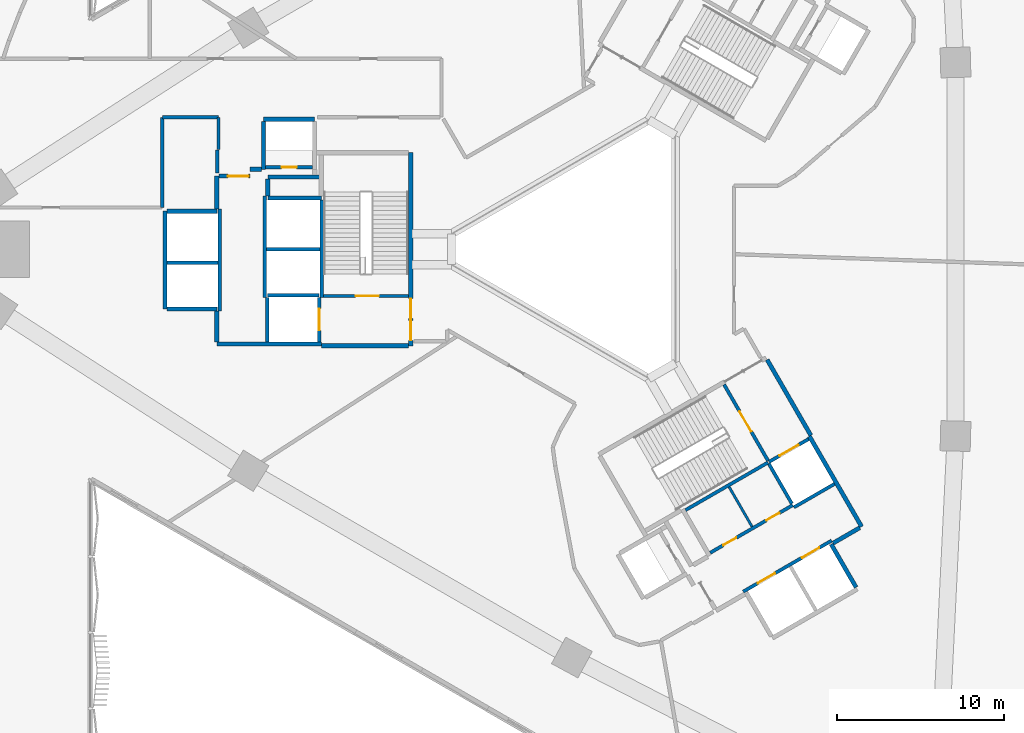
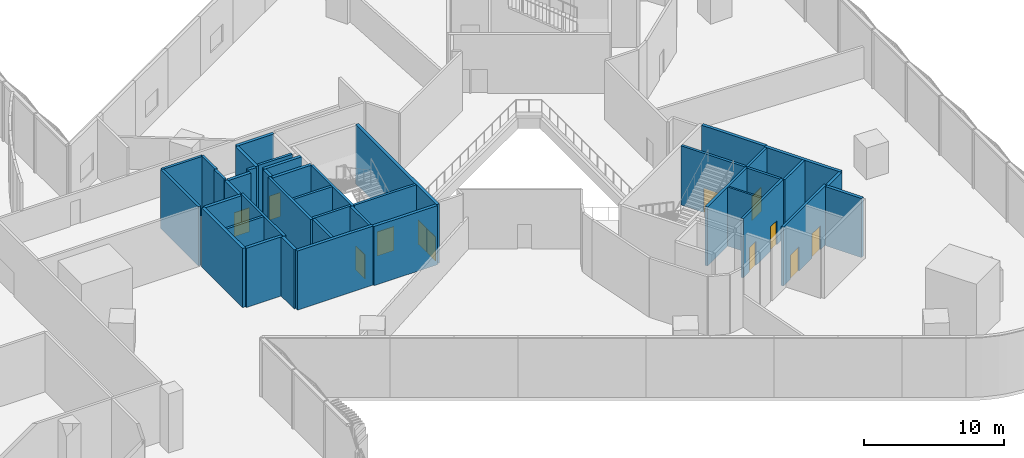
# One storey, part 15 of 31: 41 walls, 12 doors, 12 openings.
"""IFC4 building model written with IfcOpenShell, lengths in metres."""

from ifc_helpers import new_model, si_unit, direction, frame, frame_2d, origin, place, context, subcontext, project, spatial, rectangle, extrude, material, layer, layer_set, type_object, element, fill, save


model = new_model("IFC4")

# Units and contexts
model_context = context("Model", 3, precision=1e-05, world=origin(), true_north=direction((0.0, 1.0)))
body_context = subcontext(model_context, "Body", "Model", "MODEL_VIEW")
ifc_project = project(units=[si_unit("LENGTHUNIT", "METRE"), si_unit("AREAUNIT", "SQUARE_METRE"), si_unit("VOLUMEUNIT", "CUBIC_METRE"), si_unit("PLANEANGLEUNIT", "RADIAN"), si_unit("MASSUNIT", "GRAM", prefix="KILO")], contexts=[model_context])

# Site, building, storey
site_placement = place(None, origin())
site = spatial("IfcSite", under=ifc_project, at=site_placement, CompositionType="ELEMENT")
building_placement = place(site_placement, origin())
building = spatial("IfcBuilding", under=site, at=building_placement, Name="Tamra Quay Hotel Tower", CompositionType="ELEMENT")
storey_placement = place(building_placement, frame((0.0, 0.0, 14.0)))
storey = spatial("IfcBuildingStorey", under=building, at=storey_placement, Name="L02", CompositionType="ELEMENT", Elevation=14.0)

# Walls
ifc_material_1 = material(Name="Concrete M70", Category="concrete")
ifc_layer_1 = layer(ifc_material_1, 0.199951171875)
ifc_layer_set_1 = layer_set([ifc_layer_1], Name="Concrete M70 core wall 200")
wall_type_1 = type_object("IfcWallType", Name="Concrete M70 core wall 200", PredefinedType="SHEAR", material=ifc_layer_set_1)
wall_1_placement = place(storey_placement, frame((-16.162109375, 2.95068359375, 0.0), z_axis=(0.0, 0.0, 1.0), x_axis=(0.0, -1.0, 0.0)))
element("IfcWall", 1, at=wall_1_placement, inside=storey, type_object=wall_type_1, Name="CW2", PredefinedType="SHEAR", context=body_context, shape_type="SweptSolid", body=[
    extrude(rectangle(XDim=5.850830078125, YDim=0.199951171875, at=frame_2d((2.92529296875, 0.0))), origin(), (0.0, 0.0, 1.0), 5.14990234375),
])
for number, where, z_axis, x_axis, name in (
    (2, (-19.5625, -2.900146484375, 0.0), (0.0, 0.0, 1.0), (0.0, 1.0, 0.0), "CW2"),
    (3, (-22.26220703125, 2.400146484375, 0.0), (0.0, 0.0, 1.0), (0.0, -1.0, 0.0), "CW2"),
):
    element("IfcWall", number, at=place(storey_placement, frame(where, z_axis=z_axis, x_axis=x_axis)), inside=storey, type_object=wall_type_1, Name=name, PredefinedType="SHEAR", context=body_context, shape_type="SweptSolid", body=[
        extrude(rectangle(XDim=6.100341796875, YDim=0.199951171875, at=frame_2d((3.05029296875, 0.0))), origin(), (0.0, 0.0, 1.0), 5.14990234375),
    ])

# Wall, opening, door
wall_2_placement = place(storey_placement, frame((-10.96337890625, -2.800048828125, 0.0), z_axis=(0.0, 0.0, 1.0), x_axis=(-1.0, 0.0, 0.0)))
wall_2 = element("IfcWall", 4, at=wall_2_placement, inside=storey, type_object=wall_type_1, Name="CW2", PredefinedType="SHEAR", context=body_context, shape_type="SweptSolid", body=[
    extrude(rectangle(XDim=5.097900390625, YDim=0.199951171875, at=frame_2d((2.548828125, 0.0))), origin(), (0.0, 0.0, 1.0), 5.14990234375),
])
opening_1_placement = place(wall_2_placement, frame((1.77392578125, 0.0, 0.0)))
opening_1 = element("IfcOpeningElement", 5, at=opening_1_placement, cuts=wall_2, Name="Opening FD2", PredefinedType="OPENING", context=body_context, shape_type="SweptSolid", body=[
    extrude(rectangle(XDim=1.39990234375, YDim=2.10009765625, at=frame_2d((0.699951171875, 1.050048828125))), frame((0.0, 0.10986328125, 0.0), z_axis=(0.0, -1.0, 0.0), x_axis=(1.0, 0.0, 0.0)), (0.0, 0.0, 1.0), 0.219970703125),
])
ifc_material_2 = material(Name="Core door FD2 1400x2100 LH")
door_type_1 = type_object("IfcDoorType", Name="Core door FD2 1400x2100 LH", OperationType="NOTDEFINED", PredefinedType="DOOR", material=ifc_material_2)
door_1_placement = place(opening_1_placement, origin())
door_1 = element("IfcDoor", 6, at=door_1_placement, inside=storey, type_object=door_type_1, Name="FD2", OperationType="SINGLE_SWING_LEFT", OverallHeight=2.10009765625, OverallWidth=1.39990234375, PredefinedType="DOOR", context=body_context, shape_type="SweptSolid", body=[
    extrude(rectangle(XDim=1.39990234375, YDim=2.10009765625, at=frame_2d((0.699951171875, 1.050048828125))), frame((0.0, 0.02490234375, 0.0), z_axis=(0.0, -1.0, 0.0), x_axis=(1.0, 0.0, 0.0)), (0.0, 0.0, 1.0), 0.050048828125),
])
fill(opening_1, door_1)

# Walls
wall_3_placement = place(storey_placement, frame((-16.26318359375, 0.0, 0.0), z_axis=(0.0, 0.0, 1.0), x_axis=(-1.0, 0.0, 0.0)))
element("IfcWall", 7, at=wall_3_placement, inside=storey, type_object=wall_type_1, Name="CW2", PredefinedType="SHEAR", context=body_context, shape_type="SweptSolid", body=[
    extrude(rectangle(XDim=3.1982421875, YDim=0.199951171875, at=frame_2d((1.59912109375, 0.0))), origin(), (0.0, 0.0, 1.0), 5.14990234375),
])
wall_4_placement = place(storey_placement, frame((-22.36328125, -0.800048828125, 0.0), z_axis=(0.0, 0.0, 1.0), x_axis=(-1.0, 0.0, 0.0)))
element("IfcWall", 8, at=wall_4_placement, inside=storey, type_object=wall_type_1, Name="CW2", PredefinedType="SHEAR", context=body_context, shape_type="SweptSolid", body=[
    extrude(rectangle(XDim=3.048095703125, YDim=0.199951171875, at=frame_2d((1.52392578125, 0.0))), origin(), (0.0, 0.0, 1.0), 5.14990234375),
])

# Wall, opening, door
wall_5_placement = place(storey_placement, frame((-19.51123046875, 4.91015625, 0.0), z_axis=(0.0, 0.0, 1.0), x_axis=(1.0, 0.0, 0.0)))
wall_5 = element("IfcWall", 9, at=wall_5_placement, inside=storey, type_object=wall_type_1, Name="CW2", PredefinedType="SHEAR", context=body_context, shape_type="SweptSolid", body=[
    extrude(rectangle(XDim=2.7978515625, YDim=0.199951171875, at=frame_2d((1.39892578125, 0.0))), origin(), (0.0, 0.0, 1.0), 5.14990234375),
])
opening_2_placement = place(wall_5_placement, frame((0.948974609375, 0.0, 0.0)))
opening_2 = element("IfcOpeningElement", 10, at=opening_2_placement, cuts=wall_5, Name="Opening D1", PredefinedType="OPENING", context=body_context, shape_type="SweptSolid", body=[
    extrude(rectangle(XDim=0.89990234375, YDim=2.10009765625, at=frame_2d((0.449951171875, 1.050048828125))), frame((0.0, 0.10986328125, 0.0), z_axis=(0.0, -1.0, 0.0), x_axis=(1.0, 0.0, 0.0)), (0.0, 0.0, 1.0), 0.219970703125),
])
ifc_material_3 = material(Name="Core door D1 900x2100 RH")
door_type_2 = type_object("IfcDoorType", Name="Core door D1 900x2100 RH", OperationType="NOTDEFINED", PredefinedType="DOOR", material=ifc_material_3)
door_2_placement = place(opening_2_placement, origin())
door_2 = element("IfcDoor", 11, at=door_2_placement, inside=storey, type_object=door_type_2, Name="D1", OperationType="SINGLE_SWING_RIGHT", OverallHeight=2.10009765625, OverallWidth=0.89990234375, PredefinedType="DOOR", context=body_context, shape_type="SweptSolid", body=[
    extrude(rectangle(XDim=0.89990234375, YDim=2.10009765625, at=frame_2d((0.449951171875, 1.050048828125))), frame((0.0, 0.02490234375, 0.0), z_axis=(0.0, -1.0, 0.0), x_axis=(1.0, 0.0, 0.0)), (0.0, 0.0, 1.0), 0.050048828125),
])
fill(opening_2, door_2)

# Wall
wall_6_placement = place(storey_placement, frame((-19.412353515625, -2.75, 0.0), z_axis=(0.0, 0.0, 1.0), x_axis=(1.0, 0.0, 0.0)))
element("IfcWall", 12, at=wall_6_placement, inside=storey, type_object=wall_type_1, Name="CW2", PredefinedType="SHEAR", context=body_context, shape_type="SweptSolid", body=[
    extrude(rectangle(XDim=3.10009765625, YDim=0.199951171875, at=frame_2d((1.550048828125, 0.0))), origin(), (0.0, 0.0, 1.0), 5.14990234375),
])

# Wall, opening, door
wall_7_placement = place(storey_placement, frame((-16.312255859375, -2.898193359375, 0.0), z_axis=(0.0, 0.0, 1.0), x_axis=(0.0, -1.0, 0.0)))
wall_7 = element("IfcWall", 13, at=wall_7_placement, inside=storey, type_object=wall_type_1, Name="CW2", PredefinedType="SHEAR", context=body_context, shape_type="SweptSolid", body=[
    extrude(rectangle(XDim=2.65087890625, YDim=0.199951171875, at=frame_2d((1.325439453125, 0.0))), origin(), (0.0, 0.0, 1.0), 5.14990234375),
])
opening_3_placement = place(wall_7_placement, frame((0.65185546875, 0.0, 0.0)))
opening_3 = element("IfcOpeningElement", 14, at=opening_3_placement, cuts=wall_7, Name="Opening LD", PredefinedType="OPENING", context=body_context, shape_type="SweptSolid", body=[
    extrude(rectangle(XDim=1.300048828125, YDim=2.10009765625, at=frame_2d((0.64990234375, 1.050048828125))), frame((0.0, 0.10986328125, 0.0), z_axis=(0.0, -1.0, 0.0), x_axis=(1.0, 0.0, 0.0)), (0.0, 0.0, 1.0), 0.219970703125),
])
ifc_material_4 = material(Name="Landing door LD 1300 sliding to left")
door_type_3 = type_object("IfcDoorType", Name="Landing door LD 1300 sliding to left", OperationType="NOTDEFINED", PredefinedType="DOOR", material=ifc_material_4)
door_3_placement = place(opening_3_placement, origin())
door_3 = element("IfcDoor", 15, at=door_3_placement, inside=storey, type_object=door_type_3, Name="LD", OperationType="SLIDING_TO_LEFT", OverallHeight=2.10009765625, OverallWidth=1.300048828125, PredefinedType="DOOR", context=body_context, shape_type="SweptSolid", body=[
    extrude(rectangle(XDim=1.300048828125, YDim=2.10009765625, at=frame_2d((0.64990234375, 1.050048828125))), frame((0.0, 0.02490234375, 0.0), z_axis=(0.0, -1.0, 0.0), x_axis=(1.0, 0.0, 0.0)), (0.0, 0.0, 1.0), 0.050048828125),
])
fill(opening_3, door_3)

# Wall
wall_8_placement = place(storey_placement, frame((-19.412353515625, -5.549072265625, 0.0), z_axis=(0.0, 0.0, 1.0), x_axis=(0.0, 1.0, 0.0)))
element("IfcWall", 16, at=wall_8_placement, inside=storey, type_object=wall_type_1, Name="CW2", PredefinedType="SHEAR", context=body_context, shape_type="SweptSolid", body=[
    extrude(rectangle(XDim=2.65087890625, YDim=0.199951171875, at=frame_2d((1.325439453125, 0.0))), origin(), (0.0, 0.0, 1.0), 5.14990234375),
])

# Wall, openings, doors
wall_9_placement = place(storey_placement, frame((9.052490234375, -20.479736328125, 0.0), z_axis=(0.0, 0.0, 1.0), x_axis=(0.866030299012, 0.499991521122, 0.0)))
wall_9 = element("IfcWall", 17, at=wall_9_placement, inside=storey, type_object=wall_type_1, Name="CW2", PredefinedType="SHEAR", context=body_context, shape_type="SweptSolid", body=[
    extrude(rectangle(XDim=6.10009765625, YDim=0.199951171875, at=frame_2d((3.050048828125, 0.0))), origin(), (0.0, 0.0, 1.0), 5.14990234375),
])
opening_4_placement = place(wall_9_placement, frame((1.0, 0.0, 0.0)))
opening_4 = element("IfcOpeningElement", 18, at=opening_4_placement, cuts=wall_9, Name="Opening LD", PredefinedType="OPENING", context=body_context, shape_type="SweptSolid", body=[
    extrude(rectangle(XDim=1.199951171875, YDim=2.10009765625, at=frame_2d((0.60009765625, 1.050048828125))), frame((0.0, 0.10986328125, 0.0), z_axis=(0.0, -1.0, 0.0), x_axis=(1.0, 0.0, 0.0)), (0.0, 0.0, 1.0), 0.219970703125),
])
opening_5_placement = place(wall_9_placement, frame((4.05029296875, 0.0, 0.0)))
opening_5 = element("IfcOpeningElement", 19, at=opening_5_placement, cuts=wall_9, Name="Opening LD", PredefinedType="OPENING", context=body_context, shape_type="SweptSolid", body=[
    extrude(rectangle(XDim=1.199951171875, YDim=2.10009765625, at=frame_2d((0.60009765625, 1.050048828125))), frame((0.0, 0.10986328125, 0.0), z_axis=(0.0, -1.0, 0.0), x_axis=(1.0, 0.0, 0.0)), (0.0, 0.0, 1.0), 0.219970703125),
])
ifc_material_5 = material(Name="Landing door LD 1200 double door sliding")
door_type_4 = type_object("IfcDoorType", Name="Landing door LD 1200 double door sliding", OperationType="DOUBLE_DOOR_SLIDING", PredefinedType="DOOR", material=ifc_material_5)
door_4_placement = place(opening_4_placement, origin())
door_4 = element("IfcDoor", 20, at=door_4_placement, inside=storey, type_object=door_type_4, Name="LD", OperationType="DOUBLE_DOOR_SLIDING", OverallHeight=2.10009765625, OverallWidth=1.199951171875, PredefinedType="DOOR", context=body_context, shape_type="SweptSolid", body=[
    extrude(rectangle(XDim=1.199951171875, YDim=2.10009765625, at=frame_2d((0.60009765625, 1.050048828125))), frame((0.0, 0.02490234375, 0.0), z_axis=(0.0, -1.0, 0.0), x_axis=(1.0, 0.0, 0.0)), (0.0, 0.0, 1.0), 0.050048828125),
])
fill(opening_4, door_4)
door_5_placement = place(opening_5_placement, origin())
door_5 = element("IfcDoor", 21, at=door_5_placement, inside=storey, type_object=door_type_4, Name="LD", OperationType="DOUBLE_DOOR_SLIDING", OverallHeight=2.10009765625, OverallWidth=1.199951171875, PredefinedType="DOOR", context=body_context, shape_type="SweptSolid", body=[
    extrude(rectangle(XDim=1.199951171875, YDim=2.10009765625, at=frame_2d((0.60009765625, 1.050048828125))), frame((0.0, 0.02490234375, 0.0), z_axis=(0.0, -1.0, 0.0), x_axis=(1.0, 0.0, 0.0)), (0.0, 0.0, 1.0), 0.050048828125),
])
fill(opening_5, door_5)

# Wall
wall_10_placement = place(storey_placement, frame((10.537841796875, -12.751953125, 0.0), z_axis=(0.0, 0.0, 1.0), x_axis=(-0.866038630372, -0.499977090179, 0.0)))
element("IfcWall", 22, at=wall_10_placement, inside=storey, type_object=wall_type_1, Name="CW2", PredefinedType="SHEAR", context=body_context, shape_type="SweptSolid", body=[
    extrude(rectangle(XDim=5.698974609375, YDim=0.199951171875, at=frame_2d((2.849609375, 0.0))), origin(), (0.0, 0.0, 1.0), 5.14990234375),
])

# Wall, openings, doors
wall_11_placement = place(storey_placement, frame((7.0771484375, -18.156005859375, 0.0), z_axis=(0.0, 0.0, 1.0), x_axis=(0.866038630372, 0.499977090179, 0.0)))
wall_11 = element("IfcWall", 23, at=wall_11_placement, inside=storey, type_object=wall_type_1, Name="CW2", PredefinedType="SHEAR", context=body_context, shape_type="SweptSolid", body=[
    extrude(rectangle(XDim=5.698974609375, YDim=0.199951171875, at=frame_2d((2.849609375, 0.0))), origin(), (0.0, 0.0, 1.0), 5.14990234375),
])
opening_6_placement = place(wall_11_placement, frame((0.89892578125, 0.0, 0.0)))
opening_6 = element("IfcOpeningElement", 24, at=opening_6_placement, cuts=wall_11, Name="Opening D2", PredefinedType="OPENING", context=body_context, shape_type="SweptSolid", body=[
    extrude(rectangle(XDim=0.89990234375, YDim=2.10009765625, at=frame_2d((0.449951171875, 1.050048828125))), frame((0.0, 0.10986328125, 0.0), z_axis=(0.0, -1.0, 0.0), x_axis=(1.0, 0.0, 0.0)), (0.0, 0.0, 1.0), 0.219970703125),
])
opening_7_placement = place(wall_11_placement, frame((3.8740234375, 0.0, 0.0)))
opening_7 = element("IfcOpeningElement", 25, at=opening_7_placement, cuts=wall_11, Name="Opening D2", PredefinedType="OPENING", context=body_context, shape_type="SweptSolid", body=[
    extrude(rectangle(XDim=0.89990234375, YDim=2.10009765625, at=frame_2d((0.449951171875, 1.050048828125))), frame((0.0, 0.10986328125, 0.0), z_axis=(0.0, -1.0, 0.0), x_axis=(1.0, 0.0, 0.0)), (0.0, 0.0, 1.0), 0.219970703125),
])
ifc_material_6 = material(Name="Core door D2 900x2100 LH")
door_type_5 = type_object("IfcDoorType", Name="Core door D2 900x2100 LH", OperationType="NOTDEFINED", PredefinedType="DOOR", material=ifc_material_6)
door_6_placement = place(opening_6_placement, origin())
door_6 = element("IfcDoor", 26, at=door_6_placement, inside=storey, type_object=door_type_5, Name="D2", OperationType="SINGLE_SWING_LEFT", OverallHeight=2.10009765625, OverallWidth=0.89990234375, PredefinedType="DOOR", context=body_context, shape_type="SweptSolid", body=[
    extrude(rectangle(XDim=0.89990234375, YDim=2.10009765625, at=frame_2d((0.449951171875, 1.050048828125))), frame((0.0, 0.02490234375, 0.0), z_axis=(0.0, -1.0, 0.0), x_axis=(1.0, 0.0, 0.0)), (0.0, 0.0, 1.0), 0.050048828125),
])
fill(opening_6, door_6)
ifc_material_7 = material(Name="Core door D2 900x2100 RH")
door_type_6 = type_object("IfcDoorType", Name="Core door D2 900x2100 RH", OperationType="NOTDEFINED", PredefinedType="DOOR", material=ifc_material_7)
door_7_placement = place(opening_7_placement, origin())
door_7 = element("IfcDoor", 27, at=door_7_placement, inside=storey, type_object=door_type_6, Name="D2", OperationType="SINGLE_SWING_RIGHT", OverallHeight=2.10009765625, OverallWidth=0.89990234375, PredefinedType="DOOR", context=body_context, shape_type="SweptSolid", body=[
    extrude(rectangle(XDim=0.89990234375, YDim=2.10009765625, at=frame_2d((0.449951171875, 1.050048828125))), frame((0.0, 0.02490234375, 0.0), z_axis=(0.0, -1.0, 0.0), x_axis=(1.0, 0.0, 0.0)), (0.0, 0.0, 1.0), 0.050048828125),
])
fill(opening_7, door_7)

# Wall, opening, door
wall_12_placement = place(storey_placement, frame((7.906494140625, -8.094482421875, 0.0), z_axis=(0.0, 0.0, 1.0), x_axis=(0.500024287448, -0.866011380966, 0.0)))
wall_12 = element("IfcWall", 28, at=wall_12_placement, inside=storey, type_object=wall_type_1, Name="CW2", PredefinedType="SHEAR", context=body_context, shape_type="SweptSolid", body=[
    extrude(rectangle(XDim=5.251220703125, YDim=0.199951171875, at=frame_2d((2.62548828125, 0.0))), origin(), (0.0, 0.0, 1.0), 5.14990234375),
])
opening_8_placement = place(wall_12_placement, frame((1.84912109375, 0.0, 0.0)))
opening_8 = element("IfcOpeningElement", 29, at=opening_8_placement, cuts=wall_12, Name="Opening FD2", PredefinedType="OPENING", context=body_context, shape_type="SweptSolid", body=[
    extrude(rectangle(XDim=1.39990234375, YDim=2.10009765625, at=frame_2d((0.699951171875, 1.050048828125))), frame((0.0, 0.10986328125, 0.0), z_axis=(0.0, -1.0, 0.0), x_axis=(1.0, 0.0, 0.0)), (0.0, 0.0, 1.0), 0.219970703125),
])
ifc_material_8 = material(Name="Core door FD2 1400x2100 RH")
door_type_7 = type_object("IfcDoorType", Name="Core door FD2 1400x2100 RH", OperationType="NOTDEFINED", PredefinedType="DOOR", material=ifc_material_8)
door_8_placement = place(opening_8_placement, origin())
door_8 = element("IfcDoor", 30, at=door_8_placement, inside=storey, type_object=door_type_7, Name="FD2", OperationType="SINGLE_SWING_RIGHT", OverallHeight=2.10009765625, OverallWidth=1.39990234375, PredefinedType="DOOR", context=body_context, shape_type="SweptSolid", body=[
    extrude(rectangle(XDim=1.39990234375, YDim=2.10009765625, at=frame_2d((0.699951171875, 1.050048828125))), frame((0.0, 0.02490234375, 0.0), z_axis=(0.0, -1.0, 0.0), x_axis=(1.0, 0.0, 0.0)), (0.0, 0.0, 1.0), 0.050048828125),
])
fill(opening_8, door_8)

# Wall
wall_13_placement = place(storey_placement, frame((11.962646484375, -15.219970703125, 0.0), z_axis=(0.0, 0.0, 1.0), x_axis=(-0.500034990121, 0.866005201286, 0.0)))
element("IfcWall", 31, at=wall_13_placement, inside=storey, type_object=wall_type_1, Name="CW2", PredefinedType="SHEAR", context=body_context, shape_type="SweptSolid", body=[
    extrude(rectangle(XDim=2.749755859375, YDim=0.199951171875, at=frame_2d((1.375, 0.0))), origin(), (0.0, 0.0, 1.0), 5.14990234375),
])

# Wall, opening, door
wall_14_placement = place(storey_placement, frame((10.587158203125, -12.72314453125, 0.0), z_axis=(0.0, 0.0, 1.0), x_axis=(0.866037306777, 0.499979382845, 0.0)))
wall_14 = element("IfcWall", 32, at=wall_14_placement, inside=storey, type_object=wall_type_1, Name="CW2", PredefinedType="SHEAR", context=body_context, shape_type="SweptSolid", body=[
    extrude(rectangle(XDim=2.74169921875, YDim=0.199951171875, at=frame_2d((1.370849609375, 0.0))), origin(), (0.0, 0.0, 1.0), 5.14990234375),
])
opening_9_placement = place(wall_14_placement, frame((0.742919921875, 0.0, 0.0)))
opening_9 = element("IfcOpeningElement", 33, at=opening_9_placement, cuts=wall_14, Name="Opening LD", PredefinedType="OPENING", context=body_context, shape_type="SweptSolid", body=[
    extrude(rectangle(XDim=1.300048828125, YDim=2.10009765625, at=frame_2d((0.64990234375, 1.050048828125))), frame((0.0, 0.10986328125, 0.0), z_axis=(0.0, -1.0, 0.0), x_axis=(1.0, 0.0, 0.0)), (0.0, 0.0, 1.0), 0.219970703125),
])
ifc_material_9 = material(Name="Landing door LD 1300 sliding to right")
door_type_8 = type_object("IfcDoorType", Name="Landing door LD 1300 sliding to right", OperationType="NOTDEFINED", PredefinedType="DOOR", material=ifc_material_9)
door_9_placement = place(opening_9_placement, origin())
door_9 = element("IfcDoor", 34, at=door_9_placement, inside=storey, type_object=door_type_8, Name="LD", OperationType="SLIDING_TO_RIGHT", OverallHeight=2.10009765625, OverallWidth=1.300048828125, PredefinedType="DOOR", context=body_context, shape_type="SweptSolid", body=[
    extrude(rectangle(XDim=1.300048828125, YDim=2.10009765625, at=frame_2d((0.64990234375, 1.050048828125))), frame((0.0, 0.02490234375, 0.0), z_axis=(0.0, -1.0, 0.0), x_axis=(1.0, 0.0, 0.0)), (0.0, 0.0, 1.0), 0.050048828125),
])
fill(opening_9, door_9)

# Wall
wall_15_placement = place(storey_placement, frame((14.51171875, -14.037109375, 0.0), z_axis=(0.0, 0.0, 1.0), x_axis=(-0.866044696403, -0.499966582715, 0.0)))
element("IfcWall", 35, at=wall_15_placement, inside=storey, type_object=wall_type_1, Name="CW2", PredefinedType="SHEAR", context=body_context, shape_type="SweptSolid", body=[
    extrude(rectangle(XDim=2.799072265625, YDim=0.199951171875, at=frame_2d((1.3994140625, 0.0))), origin(), (0.0, 0.0, 1.0), 5.14990234375),
])

# Wall, openings, doors
ifc_layer_2 = layer(ifc_material_1, 0.25)
ifc_layer_set_2 = layer_set([ifc_layer_2], Name="Concrete M70 core wall 250")
wall_type_2 = type_object("IfcWallType", Name="Concrete M70 core wall 250", PredefinedType="SHEAR", material=ifc_layer_set_2)
wall_16_placement = place(storey_placement, frame((-10.83740234375, 5.77490234375, 0.0), z_axis=(0.0, 0.0, 1.0), x_axis=(0.0, -1.0, 0.0)))
wall_16 = element("IfcWall", 36, at=wall_16_placement, inside=storey, type_object=wall_type_2, Name="CW1", PredefinedType="SHEAR", context=body_context, shape_type="SweptSolid", body=[
    extrude(rectangle(XDim=11.5498046875, YDim=0.25, at=frame_2d((5.77490234375, 0.0))), origin(), (0.0, 0.0, 1.0), 5.14990234375),
])
opening_10_placement = place(wall_16_placement, frame((10.02490234375, 0.0, 0.0)))
opening_10 = element("IfcOpeningElement", 37, at=opening_10_placement, cuts=wall_16, Name="Opening FD1", PredefinedType="OPENING", context=body_context, shape_type="SweptSolid", body=[
    extrude(rectangle(XDim=1.199951171875, YDim=2.10009765625, at=frame_2d((0.60009765625, 1.050048828125))), frame((0.0, 0.135009765625, 0.0), z_axis=(0.0, -1.0, 0.0), x_axis=(1.0, 0.0, 0.0)), (0.0, 0.0, 1.0), 0.27001953125),
])
opening_11_placement = place(wall_16_placement, frame((8.72509765625, 0.0, 0.0)))
opening_11 = element("IfcOpeningElement", 38, at=opening_11_placement, cuts=wall_16, Name="Opening FD1", PredefinedType="OPENING", context=body_context, shape_type="SweptSolid", body=[
    extrude(rectangle(XDim=1.199951171875, YDim=2.10009765625, at=frame_2d((0.60009765625, 1.050048828125))), frame((0.0, 0.135009765625, 0.0), z_axis=(0.0, -1.0, 0.0), x_axis=(1.0, 0.0, 0.0)), (0.0, 0.0, 1.0), 0.27001953125),
])
ifc_material_10 = material(Name="Core door FD1 1200x2100 LH")
door_type_9 = type_object("IfcDoorType", Name="Core door FD1 1200x2100 LH", OperationType="NOTDEFINED", PredefinedType="DOOR", material=ifc_material_10)
door_10_placement = place(opening_10_placement, origin())
door_10 = element("IfcDoor", 39, at=door_10_placement, inside=storey, type_object=door_type_9, Name="FD1", OperationType="SINGLE_SWING_LEFT", OverallHeight=2.10009765625, OverallWidth=1.199951171875, PredefinedType="DOOR", context=body_context, shape_type="SweptSolid", body=[
    extrude(rectangle(XDim=1.199951171875, YDim=2.10009765625, at=frame_2d((0.60009765625, 1.050048828125))), frame((0.0, 0.02490234375, 0.0), z_axis=(0.0, -1.0, 0.0), x_axis=(1.0, 0.0, 0.0)), (0.0, 0.0, 1.0), 0.050048828125),
])
fill(opening_10, door_10)
ifc_material_11 = material(Name="Core door FD1 1200x2100 RH")
door_type_10 = type_object("IfcDoorType", Name="Core door FD1 1200x2100 RH", OperationType="NOTDEFINED", PredefinedType="DOOR", material=ifc_material_11)
door_11_placement = place(opening_11_placement, origin())
door_11 = element("IfcDoor", 40, at=door_11_placement, inside=storey, type_object=door_type_10, Name="FD1", OperationType="SINGLE_SWING_RIGHT", OverallHeight=2.10009765625, OverallWidth=1.199951171875, PredefinedType="DOOR", context=body_context, shape_type="SweptSolid", body=[
    extrude(rectangle(XDim=1.199951171875, YDim=2.10009765625, at=frame_2d((0.60009765625, 1.050048828125))), frame((0.0, 0.02490234375, 0.0), z_axis=(0.0, -1.0, 0.0), x_axis=(1.0, 0.0, 0.0)), (0.0, 0.0, 1.0), 0.050048828125),
])
fill(opening_11, door_11)

# Walls
wall_17_placement = place(storey_placement, frame((-16.187255859375, -5.675048828125, 0.0), z_axis=(0.0, 0.0, 1.0), x_axis=(-1.0, 0.0, 0.0)))
element("IfcWall", 41, at=wall_17_placement, inside=storey, type_object=wall_type_2, Name="CW1", PredefinedType="SHEAR", context=body_context, shape_type="SweptSolid", body=[
    extrude(rectangle(XDim=6.25, YDim=0.25, at=frame_2d((3.125, 0.0))), origin(), (0.0, 0.0, 1.0), 5.14990234375),
])
wall_18_placement = place(storey_placement, frame((-25.537353515625, -3.574951171875, 0.0), z_axis=(0.0, 0.0, 1.0), x_axis=(0.0, 1.0, 0.0)))
element("IfcWall", 42, at=wall_18_placement, inside=storey, type_object=wall_type_2, Name="CW1", PredefinedType="SHEAR", context=body_context, shape_type="SweptSolid", body=[
    extrude(rectangle(XDim=5.849853515625, YDim=0.25, at=frame_2d((2.9248046875, 0.0))), origin(), (0.0, 0.0, 1.0), 5.14990234375),
])
wall_19_placement = place(storey_placement, frame((-10.962646484375, -5.77490234375, 0.0), z_axis=(0.0, 0.0, 1.0), x_axis=(-1.0, 0.0, 0.0)))
element("IfcWall", 43, at=wall_19_placement, inside=storey, type_object=wall_type_2, Name="CW1", PredefinedType="SHEAR", context=body_context, shape_type="SweptSolid", body=[
    extrude(rectangle(XDim=5.224609375, YDim=0.25, at=frame_2d((2.6123046875, 0.0))), origin(), (0.0, 0.0, 1.0), 5.14990234375),
])
wall_20_placement = place(storey_placement, frame((-19.38720703125, 3.074951171875, 0.0), z_axis=(0.0, 0.0, 1.0), x_axis=(1.0, 0.0, 0.0)))
element("IfcWall", 44, at=wall_20_placement, inside=storey, type_object=wall_type_2, Name="CW1", PredefinedType="SHEAR", context=body_context, shape_type="SweptSolid", body=[
    extrude(rectangle(XDim=3.199951171875, YDim=0.25, at=frame_2d((1.60009765625, 0.0))), origin(), (0.0, 0.0, 1.0), 5.14990234375),
])
for number, where, z_axis, x_axis, name in (
    (45, (-22.437255859375, -3.574951171875, 0.0), (0.0, 0.0, 1.0), (-1.0, 0.0, 0.0), "CW1"),
    (46, (-25.411865234375, 2.27490234375, 0.0), (0.0, 0.0, 1.0), (1.0, 0.0, 0.0), "CW1"),
):
    element("IfcWall", number, at=place(storey_placement, frame(where, z_axis=z_axis, x_axis=x_axis)), inside=storey, type_object=wall_type_2, Name=name, PredefinedType="SHEAR", context=body_context, shape_type="SweptSolid", body=[
        extrude(rectangle(XDim=2.974609375, YDim=0.25, at=frame_2d((1.4873046875, 0.0))), origin(), (0.0, 0.0, 1.0), 5.14990234375),
    ])
wall_21_placement = place(storey_placement, frame((-19.63720703125, 7.77490234375, 0.0), z_axis=(0.0, 0.0, 1.0), x_axis=(1.0, 0.0, 0.0)))
element("IfcWall", 47, at=wall_21_placement, inside=storey, type_object=wall_type_2, Name="CW1", PredefinedType="SHEAR", context=body_context, shape_type="SweptSolid", body=[
    extrude(rectangle(XDim=3.0498046875, YDim=0.25, at=frame_2d((1.52490234375, 0.0))), origin(), (0.0, 0.0, 1.0), 5.14990234375),
])
wall_22_placement = place(storey_placement, frame((-19.63720703125, 4.784912109375, 0.0), z_axis=(0.0, 0.0, 1.0), x_axis=(0.0, 1.0, 0.0)))
element("IfcWall", 48, at=wall_22_placement, inside=storey, type_object=wall_type_2, Name="CW1", PredefinedType="SHEAR", context=body_context, shape_type="SweptSolid", body=[
    extrude(rectangle(XDim=2.86474609375, YDim=0.25, at=frame_2d((1.432373046875, 0.0))), origin(), (0.0, 0.0, 1.0), 5.14990234375),
])
wall_23_placement = place(storey_placement, frame((-16.30224609375, 4.31494140625, 0.0), z_axis=(0.0, 0.0, 1.0), x_axis=(-1.0, 0.0, 0.0)))
element("IfcWall", 49, at=wall_23_placement, inside=storey, type_object=wall_type_2, Name="CW1", PredefinedType="SHEAR", context=body_context, shape_type="SweptSolid", body=[
    extrude(rectangle(XDim=3.0849609375, YDim=0.25, at=frame_2d((1.54248046875, 0.0))), origin(), (0.0, 0.0, 1.0), 5.14990234375),
])
wall_24_placement = place(storey_placement, frame((-22.437255859375, 2.400390625, 0.0), z_axis=(0.0, 0.0, 1.0), x_axis=(0.0, 1.0, 0.0)))
element("IfcWall", 50, at=wall_24_placement, inside=storey, type_object=wall_type_2, Name="CW1", PredefinedType="SHEAR", context=body_context, shape_type="SweptSolid", body=[
    extrude(rectangle(XDim=1.974609375, YDim=0.25, at=frame_2d((0.9873046875, 0.0))), origin(), (0.0, 0.0, 1.0), 5.14990234375),
])
wall_25_placement = place(storey_placement, frame((-22.437255859375, -5.549560546875, 0.0), z_axis=(0.0, 0.0, 1.0), x_axis=(0.0, 1.0, 0.0)))
element("IfcWall", 51, at=wall_25_placement, inside=storey, type_object=wall_type_2, Name="CW1", PredefinedType="SHEAR", context=body_context, shape_type="SweptSolid", body=[
    extrude(rectangle(XDim=1.84912109375, YDim=0.25, at=frame_2d((0.924560546875, 0.0))), origin(), (0.0, 0.0, 1.0), 5.14990234375),
])

# Wall, opening, door
wall_26_placement = place(storey_placement, frame((-22.311767578125, 4.375, 0.0), z_axis=(0.0, 0.0, 1.0), x_axis=(1.0, 0.0, 0.0)))
wall_26 = element("IfcWall", 52, at=wall_26_placement, inside=storey, type_object=wall_type_2, Name="CW1", PredefinedType="SHEAR", context=body_context, shape_type="SweptSolid", body=[
    extrude(rectangle(XDim=1.864501953125, YDim=0.25, at=frame_2d((0.93212890625, 0.0))), origin(), (0.0, 0.0, 1.0), 5.14990234375),
])
opening_12_placement = place(wall_26_placement, frame((0.53466796875, 0.0, 0.0)))
opening_12 = element("IfcOpeningElement", 53, at=opening_12_placement, cuts=wall_26, Name="Opening FD3", PredefinedType="OPENING", context=body_context, shape_type="SweptSolid", body=[
    extrude(rectangle(XDim=1.25, YDim=2.10009765625, at=frame_2d((0.625, 1.050048828125))), frame((0.0, 0.135009765625, 0.0), z_axis=(0.0, -1.0, 0.0), x_axis=(1.0, 0.0, 0.0)), (0.0, 0.0, 1.0), 0.27001953125),
])
ifc_material_12 = material(Name="Core door FD3 1250x2100 LH")
door_type_11 = type_object("IfcDoorType", Name="Core door FD3 1250x2100 LH", OperationType="NOTDEFINED", PredefinedType="DOOR", material=ifc_material_12)
door_12_placement = place(opening_12_placement, origin())
door_12 = element("IfcDoor", 54, at=door_12_placement, inside=storey, type_object=door_type_11, Name="FD3", OperationType="SINGLE_SWING_LEFT", OverallHeight=2.10009765625, OverallWidth=1.25, PredefinedType="DOOR", context=body_context, shape_type="SweptSolid", body=[
    extrude(rectangle(XDim=1.25, YDim=2.10009765625, at=frame_2d((0.625, 1.050048828125))), frame((0.0, 0.02490234375, 0.0), z_axis=(0.0, -1.0, 0.0), x_axis=(1.0, 0.0, 0.0)), (0.0, 0.0, 1.0), 0.050048828125),
])
fill(opening_12, door_12)

# Walls
wall_27_placement = place(storey_placement, frame((-19.38720703125, 4.189697265625, 0.0), z_axis=(0.0, 0.0, 1.0), x_axis=(0.0, -1.0, 0.0)))
element("IfcWall", 55, at=wall_27_placement, inside=storey, type_object=wall_type_2, Name="CW1", PredefinedType="SHEAR", context=body_context, shape_type="SweptSolid", body=[
    extrude(rectangle(XDim=0.9892578125, YDim=0.25, at=frame_2d((0.49462890625, 0.0))), origin(), (0.0, 0.0, 1.0), 5.14990234375),
])
wall_28_placement = place(storey_placement, frame((-20.447265625, 4.784912109375, 0.0), z_axis=(0.0, 0.0, 1.0), x_axis=(1.0, 0.0, 0.0)))
element("IfcWall", 56, at=wall_28_placement, inside=storey, type_object=wall_type_2, Name="CW1", PredefinedType="SHEAR", context=body_context, shape_type="SweptSolid", body=[
    extrude(rectangle(XDim=0.6845703125, YDim=0.25, at=frame_2d((0.34228515625, 0.0))), origin(), (0.0, 0.0, 1.0), 5.14990234375),
])
wall_29_placement = place(storey_placement, frame((13.00830078125, -11.18115234375, 0.0), z_axis=(0.0, 0.0, 1.0), x_axis=(0.500004234368, -0.866022959057, 0.0)))
element("IfcWall", 57, at=wall_29_placement, inside=storey, type_object=wall_type_2, Name="CW1", PredefinedType="SHEAR", context=body_context, shape_type="SweptSolid", body=[
    extrude(rectangle(XDim=6.25, YDim=0.25, at=frame_2d((3.125, 0.0))), origin(), (0.0, 0.0, 1.0), 5.14990234375),
])
wall_30_placement = place(storey_placement, frame((10.482666015625, -6.6064453125, 0.0), z_axis=(0.0, 0.0, 1.0), x_axis=(0.49999885962, -0.866026062182, 0.0)))
element("IfcWall", 58, at=wall_30_placement, inside=storey, type_object=wall_type_2, Name="CW1", PredefinedType="SHEAR", context=body_context, shape_type="SweptSolid", body=[
    extrude(rectangle(XDim=5.224609375, YDim=0.25, at=frame_2d((2.6123046875, 0.0))), origin(), (0.0, 0.0, 1.0), 5.14990234375),
])
wall_31_placement = place(storey_placement, frame((14.314697265625, -17.643798828125, 0.0), z_axis=(0.0, 0.0, 1.0), x_axis=(0.500023226632, -0.866011993467, 0.0)))
element("IfcWall", 59, at=wall_31_placement, inside=storey, type_object=wall_type_2, Name="CW1", PredefinedType="SHEAR", context=body_context, shape_type="SweptSolid", body=[
    extrude(rectangle(XDim=2.974365234375, YDim=0.25, at=frame_2d((1.4873046875, 0.0))), origin(), (0.0, 0.0, 1.0), 5.14990234375),
])
wall_32_placement = place(storey_placement, frame((16.024658203125, -16.656494140625, 0.0), z_axis=(0.0, 0.0, 1.0), x_axis=(-0.866016279763, -0.500015802937, 0.0)))
element("IfcWall", 60, at=wall_32_placement, inside=storey, type_object=wall_type_2, Name="CW1", PredefinedType="SHEAR", context=body_context, shape_type="SweptSolid", body=[
    extrude(rectangle(XDim=1.84912109375, YDim=0.25, at=frame_2d((0.924560546875, 0.0))), origin(), (0.0, 0.0, 1.0), 5.14990234375),
])
ifc_material_13 = material(Name="Blockwork", Category="masonry")
ifc_layer_3 = layer(ifc_material_13, 0.14990234375)
ifc_layer_set_3 = layer_set([ifc_layer_3], Name="Core partition block 150")
wall_type_3 = type_object("IfcWallType", Name="Core partition block 150", PredefinedType="PARTITIONING", material=ifc_layer_set_3)
wall_33_placement = place(storey_placement, frame((8.20654296875, -14.214111328125, 0.0), z_axis=(0.0, 0.0, 1.0), x_axis=(0.50002746344, -0.86600954718, 0.0)))
element("IfcWall", 61, at=wall_33_placement, inside=storey, type_object=wall_type_3, Name="CP1", PredefinedType="PARTITIONING", context=body_context, shape_type="SweptSolid", body=[
    extrude(rectangle(XDim=2.748291015625, YDim=0.14990234375, at=frame_2d((1.3740234375, 0.0))), origin(), (0.0, 0.0, 1.0), 5.14990234375),
])
ifc_material_14 = material(Name="Partition party wall")
ifc_layer_4 = layer(ifc_material_14, 0.199951171875)
ifc_layer_set_4 = layer_set([ifc_layer_4], Name="Partition party wall")
wall_type_4 = type_object("IfcWallType", Name="Partition party wall", PredefinedType="PARTITIONING", material=ifc_layer_set_4)
wall_34_placement = place(storey_placement, frame((-25.699951171875, 2.5029296875, 0.0), z_axis=(0.0, 0.0, 1.0), x_axis=(0.0, 1.0, 0.0)))
element("IfcWall", 62, at=wall_34_placement, inside=storey, type_object=wall_type_4, Name="W-P", PredefinedType="PARTITIONING", context=body_context, shape_type="SweptSolid", body=[
    extrude(rectangle(XDim=5.385009765625, YDim=0.199951171875, at=frame_2d((2.6923828125, 0.0))), origin(), (0.0, 0.0, 1.0), 5.14990234375),
])
wall_35_placement = place(storey_placement, frame((-25.68798828125, 7.89990234375, 0.0), z_axis=(0.0, 0.0, 1.0), x_axis=(1.0, 0.0, 0.0)))
element("IfcWall", 63, at=wall_35_placement, inside=storey, type_object=wall_type_4, Name="W-P", PredefinedType="PARTITIONING", context=body_context, shape_type="SweptSolid", body=[
    extrude(rectangle(XDim=3.343994140625, YDim=0.199951171875, at=frame_2d((1.671875, 0.0))), origin(), (0.0, 0.0, 1.0), 5.14990234375),
])
wall_36_placement = place(storey_placement, frame((-22.412109375, 4.56005859375, 0.0), z_axis=(0.0, 0.0, 1.0), x_axis=(0.0, 1.0, 0.0)))
element("IfcWall", 64, at=wall_36_placement, inside=storey, type_object=wall_type_4, Name="W-P", PredefinedType="PARTITIONING", context=body_context, shape_type="SweptSolid", body=[
    extrude(rectangle(XDim=1.386962890625, YDim=0.199951171875, at=frame_2d((0.693359375, 0.0))), origin(), (0.0, 0.0, 1.0), 5.14990234375),
])
wall_37_placement = place(storey_placement, frame((-22.33203125, 7.887939453125, 0.0), z_axis=(0.0, 0.0, 1.0), x_axis=(0.000507035047, -0.999999871458, 0.0)))
element("IfcWall", 65, at=wall_37_placement, inside=storey, type_object=wall_type_4, Name="W-P", PredefinedType="PARTITIONING", context=body_context, shape_type="SweptSolid", body=[
    extrude(rectangle(XDim=1.926025390625, YDim=0.199951171875, at=frame_2d((0.962890625, 0.0))), origin(), (0.0, 0.0, 1.0), 5.14990234375),
])

save(model, "model.ifc")
